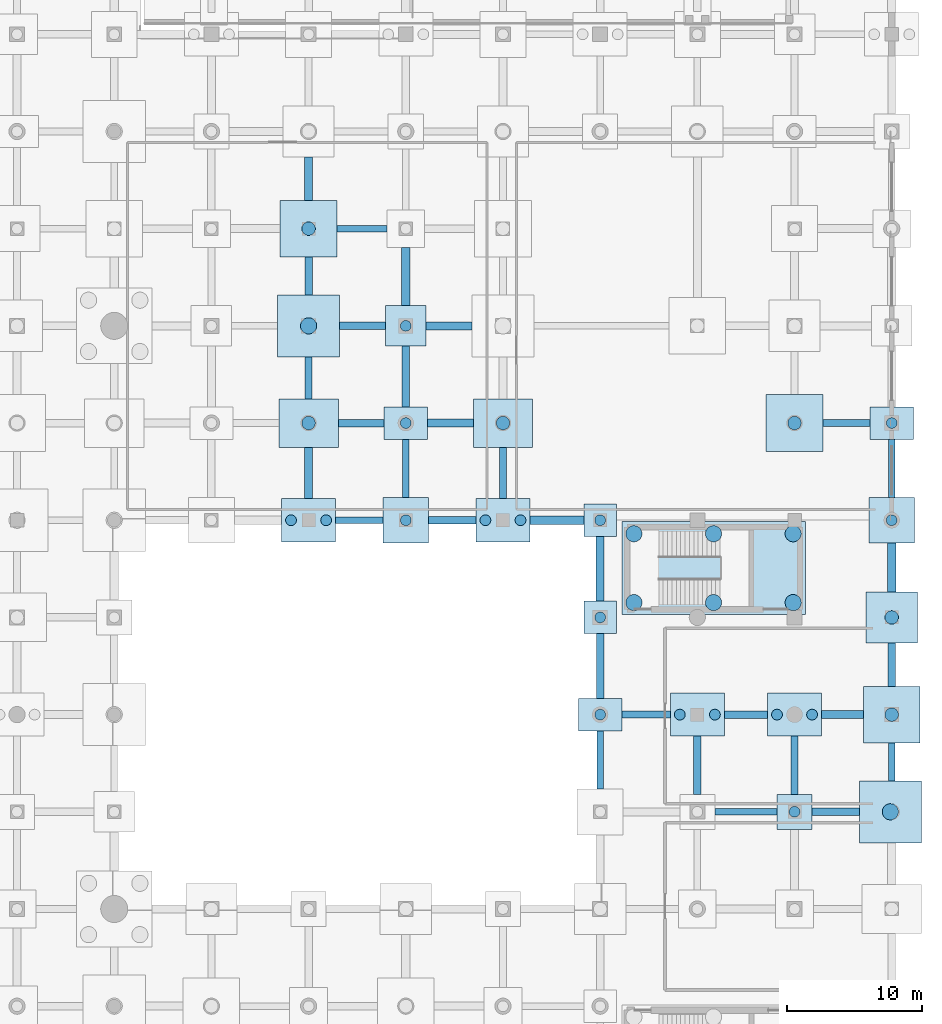
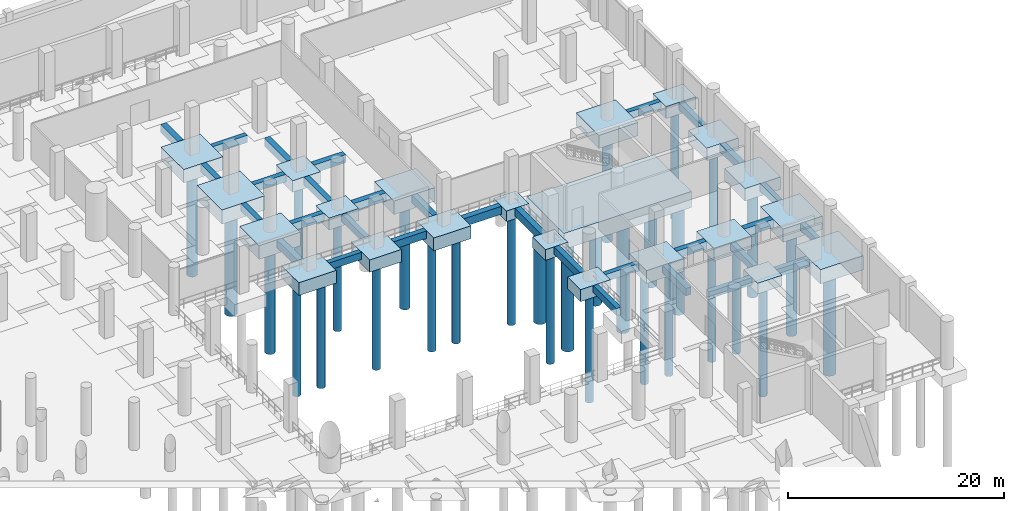
# One storey, part 14 of 37: 53 footings, 31 piles.
"""IFC4 building model written with IfcOpenShell, lengths in metres."""

from ifc_helpers import new_model, si_unit, direction, frame, origin, origin_2d, place, context, subcontext, project, spatial, rectangle, circle, extrude, material, material_profile, profile_set, type_object, element, save


model = new_model("IFC4")

# Units and contexts
model_context = context("Model", 3, precision=1e-05, world=origin(), true_north=direction((0.0, 1.0)))
body_context = subcontext(model_context, "Body", "Model", "MODEL_VIEW")
ifc_project = project(units=[si_unit("LENGTHUNIT", "METRE"), si_unit("AREAUNIT", "SQUARE_METRE"), si_unit("VOLUMEUNIT", "CUBIC_METRE"), si_unit("PLANEANGLEUNIT", "RADIAN"), si_unit("MASSUNIT", "GRAM", prefix="KILO")], contexts=[model_context])

# Site, building, storey
site_placement = place(None, origin())
site = spatial("IfcSite", under=ifc_project, at=site_placement, CompositionType="ELEMENT")
building_placement = place(site_placement, origin())
building = spatial("IfcBuilding", under=site, at=building_placement, Name="Qandorah Velis Arena", CompositionType="ELEMENT")
storey_placement = place(building_placement, frame((0.0, 0.0, -5.39990234375)))
storey = spatial("IfcBuildingStorey", under=building, at=storey_placement, Name="B1", CompositionType="ELEMENT", Elevation=-5.39990234375)

# Footings
ifc_material = material(Name="Concrete C40/50", Category="concrete")
footing_type_1 = type_object("IfcFootingType", Name="STR-CAP-PC10", PredefinedType="PILE_CAP", material=ifc_material)
for number, where, z_axis, x_axis, name in (
    (1, (151.199951171875, 79.199951171875, -1.2001953125), (0.0, 0.0, 1.0), (1.0, 0.0, 0.0), "Pile cap CAP-B1-315"),
    (2, (151.199951171875, 86.39990234375, -1.2001953125), (0.0, 0.0, 1.0), (1.0, 0.0, 0.0), "Pile cap CAP-B1-316"),
):
    element("IfcFooting", number, at=place(storey_placement, frame(where, z_axis=z_axis, x_axis=x_axis)), inside=storey, type_object=footing_type_1, Name=name, PredefinedType="PILE_CAP", context=body_context, shape_type="SweptSolid", body=[
        extrude(rectangle(XDim=2.39990234375, YDim=2.39990234375, at=origin_2d()), origin(), (0.0, 0.0, 1.0), 1.199951171875),
    ])
footing_1_placement = place(storey_placement, frame((165.60009765625, 64.800048828125, -1.2001953125), z_axis=(0.0, 0.0, 1.0), x_axis=(1.0, 0.0, 0.0)))
element("IfcFooting", 3, at=footing_1_placement, inside=storey, type_object=footing_type_1, Name="Pile cap CAP-B1-337", PredefinedType="PILE_CAP", context=body_context, shape_type="SweptSolid", body=[
    extrude(rectangle(XDim=2.60009765625, YDim=2.60009765625, at=origin_2d()), origin(), (0.0, 0.0, 1.0), 1.199951171875),
])
footing_type_2 = type_object("IfcFootingType", Name="STR-CAP-PC11", PredefinedType="PILE_CAP", material=ifc_material)
footing_2_placement = place(storey_placement, frame((159.60009765625, 82.85009765625, -1.80029296875), z_axis=(0.0, 0.0, 1.0), x_axis=(1.0, 0.0, 0.0)))
element("IfcFooting", 4, at=footing_2_placement, inside=storey, type_object=footing_type_2, Name="Pile cap CAP-CORE-CORE-08", PredefinedType="PILE_CAP", context=body_context, shape_type="SweptSolid", body=[
    extrude(rectangle(XDim=13.60009765625, YDim=6.89990234375, at=origin_2d()), origin(), (0.0, 0.0, 1.0), 1.800048828125),
])
footing_type_3 = type_object("IfcFootingType", Name="STR-CAP-PC14", PredefinedType="PILE_CAP", material=ifc_material)
for number, where, z_axis, x_axis, name in (
    (5, (129.60009765625, 86.39990234375, -1.4501953125), (0.0, 0.0, 1.0), (1.0, 0.0, 0.0), "Pile cap CAP-B1-268"),
    (6, (144.0, 86.39990234375, -1.4501953125), (0.0, 0.0, 1.0), (1.0, 0.0, 0.0), "Pile cap CAP-B1-298"),
    (7, (158.39990234375, 72.0, -1.4501953125), (0.0, 0.0, 1.0), (1.0, 0.0, 0.0), "Pile cap CAP-B1-328"),
    (8, (165.60009765625, 72.0, -1.4501953125), (0.0, 0.0, 1.0), (1.0, 0.0, 0.0), "Pile cap CAP-B1-338"),
):
    element("IfcFooting", number, at=place(storey_placement, frame(where, z_axis=z_axis, x_axis=x_axis)), inside=storey, type_object=footing_type_3, Name=name, PredefinedType="PILE_CAP", context=body_context, shape_type="SweptSolid", body=[
        extrude(rectangle(XDim=4.0, YDim=3.199951171875, at=origin_2d()), origin(), (0.0, 0.0, 1.0), 1.449951171875),
    ])
footing_type_4 = type_object("IfcFootingType", Name="STR-CAP-PC15", PredefinedType="PILE_CAP", material=ifc_material)
for number, where, z_axis, x_axis, name in (
    (9, (129.60009765625, 93.60009765625, -1.55029296875), (0.0, 0.0, 1.0), (1.0, 0.0, 0.0), "Pile cap CAP-B1-269"),
    (10, (144.0, 93.60009765625, -1.55029296875), (0.0, 0.0, 1.0), (1.0, 0.0, 0.0), "Pile cap CAP-B1-299"),
):
    element("IfcFooting", number, at=place(storey_placement, frame(where, z_axis=z_axis, x_axis=x_axis)), inside=storey, type_object=footing_type_4, Name=name, PredefinedType="PILE_CAP", context=body_context, shape_type="SweptSolid", body=[
        extrude(rectangle(XDim=4.39990234375, YDim=3.60009765625, at=origin_2d()), origin(), (0.0, 0.0, 1.0), 1.550048828125),
    ])
footing_type_5 = type_object("IfcFootingType", Name="STR-CAP-PC3", PredefinedType="PILE_CAP", material=ifc_material)
for number, where, z_axis, x_axis, name in (
    (11, (129.60009765625, 100.800048828125, -1.60009765625), (0.0, 0.0, 1.0), (1.0, 0.0, 0.0), "Pile cap CAP-B1-270"),
    (12, (172.699951171875, 64.800048828125, -1.60009765625), (0.0, 0.0, 1.0), (1.0, 0.0, 0.0), "Pile cap CAP-B1-350"),
):
    element("IfcFooting", number, at=place(storey_placement, frame(where, z_axis=z_axis, x_axis=x_axis)), inside=storey, type_object=footing_type_5, Name=name, PredefinedType="PILE_CAP", context=body_context, shape_type="SweptSolid", body=[
        extrude(rectangle(XDim=4.60009765625, YDim=4.60009765625, at=origin_2d()), origin(), (0.0, 0.0, 1.0), 1.60009765625),
    ])
footing_type_6 = type_object("IfcFootingType", Name="STR-CAP-PC4", PredefinedType="PILE_CAP", material=ifc_material)
for number, where, z_axis, x_axis, name in (
    (13, (129.60009765625, 108.0, -1.5), (0.0, 0.0, 1.0), (1.0, 0.0, 0.0), "Pile cap CAP-B1-271"),
    (14, (165.60009765625, 93.60009765625, -1.5), (0.0, 0.0, 1.0), (1.0, 0.0, 0.0), "Pile cap CAP-B1-341"),
    (15, (172.800048828125, 72.0, -1.5), (0.0, 0.0, 1.0), (1.0, 0.0, 0.0), "Pile cap CAP-B1-351"),
):
    element("IfcFooting", number, at=place(storey_placement, frame(where, z_axis=z_axis, x_axis=x_axis)), inside=storey, type_object=footing_type_6, Name=name, PredefinedType="PILE_CAP", context=body_context, shape_type="SweptSolid", body=[
        extrude(rectangle(XDim=4.199951171875, YDim=4.199951171875, at=origin_2d()), origin(), (0.0, 0.0, 1.0), 1.5),
    ])
footing_type_7 = type_object("IfcFootingType", Name="STR-CAP-PC5", PredefinedType="PILE_CAP", material=ifc_material)
footing_3_placement = place(storey_placement, frame((172.800048828125, 79.199951171875, -1.400146484375), z_axis=(0.0, 0.0, 1.0), x_axis=(1.0, 0.0, 0.0)))
element("IfcFooting", 16, at=footing_3_placement, inside=storey, type_object=footing_type_7, Name="Pile cap CAP-B1-352", PredefinedType="PILE_CAP", context=body_context, shape_type="SweptSolid", body=[
    extrude(rectangle(XDim=3.800048828125, YDim=3.800048828125, at=origin_2d()), origin(), (0.0, 0.0, 1.0), 1.39990234375),
])
footing_type_8 = type_object("IfcFootingType", Name="STR-CAP-PC6", PredefinedType="PILE_CAP", material=ifc_material)
for number, where, z_axis, x_axis, name in (
    (17, (136.800048828125, 86.39990234375, -1.400146484375), (0.0, 0.0, 1.0), (1.0, 0.0, 0.0), "Pile cap CAP-B1-283"),
    (18, (172.800048828125, 86.39990234375, -1.400146484375), (0.0, 0.0, 1.0), (1.0, 0.0, 0.0), "Pile cap CAP-B1-353"),
):
    element("IfcFooting", number, at=place(storey_placement, frame(where, z_axis=z_axis, x_axis=x_axis)), inside=storey, type_object=footing_type_8, Name=name, PredefinedType="PILE_CAP", context=body_context, shape_type="SweptSolid", body=[
        extrude(rectangle(XDim=3.39990234375, YDim=3.39990234375, at=origin_2d()), origin(), (0.0, 0.0, 1.0), 1.39990234375),
    ])
footing_type_9 = type_object("IfcFootingType", Name="STR-CAP-PC7", PredefinedType="PILE_CAP", material=ifc_material)
for number, where, z_axis, x_axis, name in (
    (19, (136.800048828125, 93.60009765625, -1.35009765625), (0.0, 0.0, 1.0), (1.0, 0.0, 0.0), "Pile cap CAP-B1-284"),
    (20, (151.199951171875, 72.0, -1.35009765625), (0.0, 0.0, 1.0), (1.0, 0.0, 0.0), "Pile cap CAP-B1-314"),
    (21, (172.800048828125, 93.60009765625, -1.35009765625), (0.0, 0.0, 1.0), (1.0, 0.0, 0.0), "Pile cap CAP-B1-354"),
):
    element("IfcFooting", number, at=place(storey_placement, frame(where, z_axis=z_axis, x_axis=x_axis)), inside=storey, type_object=footing_type_9, Name=name, PredefinedType="PILE_CAP", context=body_context, shape_type="SweptSolid", body=[
        extrude(rectangle(XDim=3.199951171875, YDim=2.39990234375, at=origin_2d()), origin(), (0.0, 0.0, 1.0), 1.35009765625),
    ])
footing_type_10 = type_object("IfcFootingType", Name="STR-CAP-PC8", PredefinedType="PILE_CAP", material=ifc_material)
footing_4_placement = place(storey_placement, frame((136.800048828125, 100.800048828125, -1.30029296875), z_axis=(0.0, 0.0, 1.0), x_axis=(1.0, 0.0, 0.0)))
element("IfcFooting", 22, at=footing_4_placement, inside=storey, type_object=footing_type_10, Name="Pile cap CAP-B1-285", PredefinedType="PILE_CAP", context=body_context, shape_type="SweptSolid", body=[
    extrude(rectangle(XDim=3.0, YDim=3.0, at=origin_2d()), origin(), (0.0, 0.0, 1.0), 1.300048828125),
])
ifc_material_profile_1 = material_profile(ifc_material, rectangle(XDim=0.60009765625, YDim=0.89990234375, at=origin_2d()), Name="GB1 600x900")
ifc_profile_set_1 = profile_set([ifc_material_profile_1], Name="Concrete C40/50")
footing_type_11 = type_object("IfcFootingType", Name="STR-GB-FB1", PredefinedType="FOOTING_BEAM", material=ifc_profile_set_1)
footing_5_placement = place(storey_placement, frame((129.60009765625, 88.0, -0.4501953125), z_axis=(0.0, 1.0, 0.0), x_axis=(-1.0, 0.0, 0.0)))
element("IfcFooting", 23, at=footing_5_placement, inside=storey, type_object=footing_type_11, Name="Ground tie beam GB-198", PredefinedType="FOOTING_BEAM", context=body_context, shape_type="SweptSolid", body=[
    extrude(rectangle(XDim=0.60009765625, YDim=0.89990234375, at=origin_2d()), origin(), (0.0, 0.0, 1.0), 3.800048828125),
])
footing_6_placement = place(storey_placement, frame((129.60009765625, 110.10009765625, -0.4501953125), z_axis=(0.0, 1.0, 0.0), x_axis=(-1.0, 0.0, 0.0)))
element("IfcFooting", 24, at=footing_6_placement, inside=storey, type_object=footing_type_11, Name="Ground tie beam GB-201", PredefinedType="FOOTING_BEAM", context=body_context, shape_type="SweptSolid", body=[
    extrude(rectangle(XDim=0.60009765625, YDim=0.89990234375, at=origin_2d()), origin(), (0.0, 0.0, 1.0), 3.199951171875),
])
footing_7_placement = place(storey_placement, frame((136.800048828125, 102.300048828125, -0.4501953125), z_axis=(0.0, 1.0, 0.0), x_axis=(-1.0, 0.0, 0.0)))
element("IfcFooting", 25, at=footing_7_placement, inside=storey, type_object=footing_type_11, Name="Ground tie beam GB-213", PredefinedType="FOOTING_BEAM", context=body_context, shape_type="SweptSolid", body=[
    extrude(rectangle(XDim=0.60009765625, YDim=0.89990234375, at=origin_2d()), origin(), (0.0, 0.0, 1.0), 4.300048828125),
])
footing_8_placement = place(storey_placement, frame((151.199951171875, 80.39990234375, -0.4501953125), z_axis=(0.0, 1.0, 0.0), x_axis=(-1.0, 0.0, 0.0)))
element("IfcFooting", 26, at=footing_8_placement, inside=storey, type_object=footing_type_11, Name="Ground tie beam GB-240", PredefinedType="FOOTING_BEAM", context=body_context, shape_type="SweptSolid", body=[
    extrude(rectangle(XDim=0.60009765625, YDim=0.89990234375, at=origin_2d()), origin(), (0.0, 0.0, 1.0), 4.800048828125),
])
footing_9_placement = place(storey_placement, frame((172.800048828125, 81.10009765625, -0.4501953125), z_axis=(0.0, 1.0, 0.0), x_axis=(-1.0, 0.0, 0.0)))
element("IfcFooting", 27, at=footing_9_placement, inside=storey, type_object=footing_type_11, Name="Ground tie beam GB-264", PredefinedType="FOOTING_BEAM", context=body_context, shape_type="SweptSolid", body=[
    extrude(rectangle(XDim=0.60009765625, YDim=0.89990234375, at=origin_2d()), origin(), (0.0, 0.0, 1.0), 3.599853515625),
])
footing_10_placement = place(storey_placement, frame((167.60009765625, 72.0, -0.4501953125), z_axis=(1.0, 0.0, 0.0), x_axis=(0.0, 1.0, 0.0)))
element("IfcFooting", 28, at=footing_10_placement, inside=storey, type_object=footing_type_11, Name="Ground tie beam GB-417", PredefinedType="FOOTING_BEAM", context=body_context, shape_type="SweptSolid", body=[
    extrude(rectangle(XDim=0.60009765625, YDim=0.89990234375, at=origin_2d()), origin(), (0.0, 0.0, 1.0), 3.099853515625),
])
footing_11_placement = place(storey_placement, frame((146.0, 86.39990234375, -0.4501953125), z_axis=(1.0, 0.0, 0.0), x_axis=(0.0, 1.0, 0.0)))
element("IfcFooting", 29, at=footing_11_placement, inside=storey, type_object=footing_type_11, Name="Ground tie beam GB-426", PredefinedType="FOOTING_BEAM", context=body_context, shape_type="SweptSolid", body=[
    extrude(rectangle(XDim=0.60009765625, YDim=0.89990234375, at=origin_2d()), origin(), (0.0, 0.0, 1.0), 4.0),
])
footing_12_placement = place(storey_placement, frame((138.39990234375, 93.60009765625, -0.4501953125), z_axis=(1.0, 0.0, 0.0), x_axis=(0.0, 1.0, 0.0)))
element("IfcFooting", 30, at=footing_12_placement, inside=storey, type_object=footing_type_11, Name="Ground tie beam GB-444", PredefinedType="FOOTING_BEAM", context=body_context, shape_type="SweptSolid", body=[
    extrude(rectangle(XDim=0.60009765625, YDim=0.89990234375, at=origin_2d()), origin(), (0.0, 0.0, 1.0), 3.400146484375),
])
footing_13_placement = place(storey_placement, frame((138.300048828125, 100.800048828125, -0.4501953125), z_axis=(1.0, 0.0, 0.0), x_axis=(0.0, 1.0, 0.0)))
element("IfcFooting", 31, at=footing_13_placement, inside=storey, type_object=footing_type_11, Name="Ground tie beam GB-465", PredefinedType="FOOTING_BEAM", context=body_context, shape_type="SweptSolid", body=[
    extrude(rectangle(XDim=0.60009765625, YDim=0.89990234375, at=origin_2d()), origin(), (0.0, 0.0, 1.0), 3.39990234375),
])
ifc_material_profile_2 = material_profile(ifc_material, rectangle(XDim=0.5, YDim=0.800048828125, at=origin_2d()), Name="GB2 500x800")
ifc_profile_set_2 = profile_set([ifc_material_profile_2], Name="Concrete C40/50")
footing_type_12 = type_object("IfcFootingType", Name="STR-GB-FB2", PredefinedType="FOOTING_BEAM", material=ifc_profile_set_2)
footing_14_placement = place(storey_placement, frame((129.60009765625, 95.39990234375, -0.400146484375), z_axis=(0.0, 1.0, 0.0), x_axis=(-1.0, 0.0, 0.0)))
element("IfcFooting", 32, at=footing_14_placement, inside=storey, type_object=footing_type_12, Name="Ground tie beam GB-199", PredefinedType="FOOTING_BEAM", context=body_context, shape_type="SweptSolid", body=[
    extrude(rectangle(XDim=0.5, YDim=0.800048828125, at=origin_2d()), origin(), (0.0, 0.0, 1.0), 3.10009765625),
])
footing_15_placement = place(storey_placement, frame((136.800048828125, 88.10009765625, -0.400146484375), z_axis=(0.0, 1.0, 0.0), x_axis=(-1.0, 0.0, 0.0)))
element("IfcFooting", 33, at=footing_15_placement, inside=storey, type_object=footing_type_12, Name="Ground tie beam GB-211", PredefinedType="FOOTING_BEAM", context=body_context, shape_type="SweptSolid", body=[
    extrude(rectangle(XDim=0.5, YDim=0.800048828125, at=origin_2d()), origin(), (0.0, 0.0, 1.0), 4.2998046875),
])
footing_16_placement = place(storey_placement, frame((151.199951171875, 66.5, -0.400146484375), z_axis=(0.0, 1.0, 0.0), x_axis=(-1.0, 0.0, 0.0)))
element("IfcFooting", 34, at=footing_16_placement, inside=storey, type_object=footing_type_12, Name="Ground tie beam GB-238", PredefinedType="FOOTING_BEAM", context=body_context, shape_type="SweptSolid", body=[
    extrude(rectangle(XDim=0.5, YDim=0.800048828125, at=origin_2d()), origin(), (0.0, 0.0, 1.0), 4.300048828125),
])
footing_17_placement = place(storey_placement, frame((165.60009765625, 66.10009765625, -0.400146484375), z_axis=(0.0, 1.0, 0.0), x_axis=(-1.0, 0.0, 0.0)))
element("IfcFooting", 35, at=footing_17_placement, inside=storey, type_object=footing_type_12, Name="Ground tie beam GB-253", PredefinedType="FOOTING_BEAM", context=body_context, shape_type="SweptSolid", body=[
    extrude(rectangle(XDim=0.5, YDim=0.800048828125, at=origin_2d()), origin(), (0.0, 0.0, 1.0), 4.2998046875),
])
footing_18_placement = place(storey_placement, frame((172.800048828125, 67.10009765625, -0.400146484375), z_axis=(0.0, 1.0, 0.0), x_axis=(-1.0, 0.0, 0.0)))
element("IfcFooting", 36, at=footing_18_placement, inside=storey, type_object=footing_type_12, Name="Ground tie beam GB-262", PredefinedType="FOOTING_BEAM", context=body_context, shape_type="SweptSolid", body=[
    extrude(rectangle(XDim=0.5, YDim=0.800048828125, at=origin_2d()), origin(), (0.0, 0.0, 1.0), 2.7998046875),
])
footing_19_placement = place(storey_placement, frame((172.800048828125, 88.10009765625, -0.400146484375), z_axis=(0.0, 1.0, 0.0), x_axis=(-1.0, 0.0, 0.0)))
element("IfcFooting", 37, at=footing_19_placement, inside=storey, type_object=footing_type_12, Name="Ground tie beam GB-265", PredefinedType="FOOTING_BEAM", context=body_context, shape_type="SweptSolid", body=[
    extrude(rectangle(XDim=0.5, YDim=0.800048828125, at=origin_2d()), origin(), (0.0, 0.0, 1.0), 4.2998046875),
])
footing_20_placement = place(storey_placement, frame((159.699951171875, 64.800048828125, -0.400146484375), z_axis=(1.0, 0.0, 0.0), x_axis=(0.0, 1.0, 0.0)))
element("IfcFooting", 38, at=footing_20_placement, inside=storey, type_object=footing_type_12, Name="Ground tie beam GB-409", PredefinedType="FOOTING_BEAM", context=body_context, shape_type="SweptSolid", body=[
    extrude(rectangle(XDim=0.5, YDim=0.800048828125, at=origin_2d()), origin(), (0.0, 0.0, 1.0), 4.60009765625),
])
footing_21_placement = place(storey_placement, frame((152.800048828125, 72.0, -0.400146484375), z_axis=(1.0, 0.0, 0.0), x_axis=(0.0, 1.0, 0.0)))
element("IfcFooting", 39, at=footing_21_placement, inside=storey, type_object=footing_type_12, Name="Ground tie beam GB-415", PredefinedType="FOOTING_BEAM", context=body_context, shape_type="SweptSolid", body=[
    extrude(rectangle(XDim=0.5, YDim=0.800048828125, at=origin_2d()), origin(), (0.0, 0.0, 1.0), 3.599853515625),
])
for number, where, z_axis, x_axis, name in (
    (40, (131.60009765625, 86.39990234375, -0.400146484375), (1.0, 0.0, 0.0), (0.0, 1.0, 0.0), "Ground tie beam GB-424"),
    (41, (167.699951171875, 93.60009765625, -0.400146484375), (1.0, 0.0, 0.0), (0.0, 1.0, 0.0), "Ground tie beam GB-445"),
):
    element("IfcFooting", number, at=place(storey_placement, frame(where, z_axis=z_axis, x_axis=x_axis)), inside=storey, type_object=footing_type_12, Name=name, PredefinedType="FOOTING_BEAM", context=body_context, shape_type="SweptSolid", body=[
        extrude(rectangle(XDim=0.5, YDim=0.800048828125, at=origin_2d()), origin(), (0.0, 0.0, 1.0), 3.5),
    ])
footing_22_placement = place(storey_placement, frame((131.699951171875, 108.0, -0.400146484375), z_axis=(1.0, 0.0, 0.0), x_axis=(0.0, 1.0, 0.0)))
element("IfcFooting", 42, at=footing_22_placement, inside=storey, type_object=footing_type_12, Name="Ground tie beam GB-487", PredefinedType="FOOTING_BEAM", context=body_context, shape_type="SweptSolid", body=[
    extrude(rectangle(XDim=0.5, YDim=0.800048828125, at=origin_2d()), origin(), (0.0, 0.0, 1.0), 3.699951171875),
])
ifc_material_profile_3 = material_profile(ifc_material, rectangle(XDim=0.550048828125, YDim=0.85009765625, at=origin_2d()), Name="GB3 550x850")
ifc_profile_set_3 = profile_set([ifc_material_profile_3], Name="Concrete C40/50")
footing_type_13 = type_object("IfcFootingType", Name="STR-GB-FB3", PredefinedType="FOOTING_BEAM", material=ifc_profile_set_3)
footing_23_placement = place(storey_placement, frame((129.60009765625, 103.10009765625, -0.425048828125), z_axis=(0.0, 1.0, 0.0), x_axis=(-1.0, 0.0, 0.0)))
element("IfcFooting", 43, at=footing_23_placement, inside=storey, type_object=footing_type_13, Name="Ground tie beam GB-200", PredefinedType="FOOTING_BEAM", context=body_context, shape_type="SweptSolid", body=[
    extrude(rectangle(XDim=0.550048828125, YDim=0.85009765625, at=origin_2d()), origin(), (0.0, 0.0, 1.0), 2.7998046875),
])
footing_24_placement = place(storey_placement, frame((136.800048828125, 94.800048828125, -0.425048828125), z_axis=(0.0, 1.0, 0.0), x_axis=(-1.0, 0.0, 0.0)))
element("IfcFooting", 44, at=footing_24_placement, inside=storey, type_object=footing_type_13, Name="Ground tie beam GB-212", PredefinedType="FOOTING_BEAM", context=body_context, shape_type="SweptSolid", body=[
    extrude(rectangle(XDim=0.550048828125, YDim=0.85009765625, at=origin_2d()), origin(), (0.0, 0.0, 1.0), 4.5),
])
footing_25_placement = place(storey_placement, frame((144.0, 88.0, -0.425048828125), z_axis=(0.0, 1.0, 0.0), x_axis=(-1.0, 0.0, 0.0)))
element("IfcFooting", 45, at=footing_25_placement, inside=storey, type_object=footing_type_13, Name="Ground tie beam GB-224", PredefinedType="FOOTING_BEAM", context=body_context, shape_type="SweptSolid", body=[
    extrude(rectangle(XDim=0.550048828125, YDim=0.85009765625, at=origin_2d()), origin(), (0.0, 0.0, 1.0), 3.800048828125),
])
footing_26_placement = place(storey_placement, frame((151.199951171875, 73.199951171875, -0.425048828125), z_axis=(0.0, 1.0, 0.0), x_axis=(-1.0, 0.0, 0.0)))
element("IfcFooting", 46, at=footing_26_placement, inside=storey, type_object=footing_type_13, Name="Ground tie beam GB-239", PredefinedType="FOOTING_BEAM", context=body_context, shape_type="SweptSolid", body=[
    extrude(rectangle(XDim=0.550048828125, YDim=0.85009765625, at=origin_2d()), origin(), (0.0, 0.0, 1.0), 4.800048828125),
])
footing_27_placement = place(storey_placement, frame((158.39990234375, 66.10009765625, -0.425048828125), z_axis=(0.0, 1.0, 0.0), x_axis=(-1.0, 0.0, 0.0)))
element("IfcFooting", 47, at=footing_27_placement, inside=storey, type_object=footing_type_13, Name="Ground tie beam GB-248", PredefinedType="FOOTING_BEAM", context=body_context, shape_type="SweptSolid", body=[
    extrude(rectangle(XDim=0.550048828125, YDim=0.85009765625, at=origin_2d()), origin(), (0.0, 0.0, 1.0), 4.2998046875),
])
footing_28_placement = place(storey_placement, frame((172.800048828125, 74.10009765625, -0.425048828125), z_axis=(0.0, 1.0, 0.0), x_axis=(-1.0, 0.0, 0.0)))
element("IfcFooting", 48, at=footing_28_placement, inside=storey, type_object=footing_type_13, Name="Ground tie beam GB-263", PredefinedType="FOOTING_BEAM", context=body_context, shape_type="SweptSolid", body=[
    extrude(rectangle(XDim=0.550048828125, YDim=0.85009765625, at=origin_2d()), origin(), (0.0, 0.0, 1.0), 3.199951171875),
])
footing_29_placement = place(storey_placement, frame((166.89990234375, 64.800048828125, -0.425048828125), z_axis=(1.0, 0.0, 0.0), x_axis=(0.0, 1.0, 0.0)))
element("IfcFooting", 49, at=footing_29_placement, inside=storey, type_object=footing_type_13, Name="Ground tie beam GB-410", PredefinedType="FOOTING_BEAM", context=body_context, shape_type="SweptSolid", body=[
    extrude(rectangle(XDim=0.550048828125, YDim=0.85009765625, at=origin_2d()), origin(), (0.0, 0.0, 1.0), 3.5),
])
footing_30_placement = place(storey_placement, frame((160.39990234375, 72.0, -0.425048828125), z_axis=(1.0, 0.0, 0.0), x_axis=(0.0, 1.0, 0.0)))
element("IfcFooting", 50, at=footing_30_placement, inside=storey, type_object=footing_type_13, Name="Ground tie beam GB-416", PredefinedType="FOOTING_BEAM", context=body_context, shape_type="SweptSolid", body=[
    extrude(rectangle(XDim=0.550048828125, YDim=0.85009765625, at=origin_2d()), origin(), (0.0, 0.0, 1.0), 3.2001953125),
])
footing_31_placement = place(storey_placement, frame((138.5, 86.39990234375, -0.425048828125), z_axis=(1.0, 0.0, 0.0), x_axis=(0.0, 1.0, 0.0)))
element("IfcFooting", 51, at=footing_31_placement, inside=storey, type_object=footing_type_13, Name="Ground tie beam GB-425", PredefinedType="FOOTING_BEAM", context=body_context, shape_type="SweptSolid", body=[
    extrude(rectangle(XDim=0.550048828125, YDim=0.85009765625, at=origin_2d()), origin(), (0.0, 0.0, 1.0), 3.5),
])
footing_32_placement = place(storey_placement, frame((131.800048828125, 93.60009765625, -0.425048828125), z_axis=(1.0, 0.0, 0.0), x_axis=(0.0, 1.0, 0.0)))
element("IfcFooting", 52, at=footing_32_placement, inside=storey, type_object=footing_type_13, Name="Ground tie beam GB-443", PredefinedType="FOOTING_BEAM", context=body_context, shape_type="SweptSolid", body=[
    extrude(rectangle(XDim=0.550048828125, YDim=0.85009765625, at=origin_2d()), origin(), (0.0, 0.0, 1.0), 3.39990234375),
])
footing_33_placement = place(storey_placement, frame((131.89990234375, 100.800048828125, -0.425048828125), z_axis=(1.0, 0.0, 0.0), x_axis=(0.0, 1.0, 0.0)))
element("IfcFooting", 53, at=footing_33_placement, inside=storey, type_object=footing_type_13, Name="Ground tie beam GB-464", PredefinedType="FOOTING_BEAM", context=body_context, shape_type="SweptSolid", body=[
    extrude(rectangle(XDim=0.550048828125, YDim=0.85009765625, at=origin_2d()), origin(), (0.0, 0.0, 1.0), 3.400146484375),
])

# Piles
ifc_material_profile_4 = material_profile(ifc_material, circle(Radius=0.5, at=origin_2d()), Name="BORED PILE D1000")
ifc_profile_set_4 = profile_set([ifc_material_profile_4], Name="Concrete C40/50")
pile_type_1 = type_object("IfcPileType", Name="STR-PILE-BP1000", PredefinedType="BORED", material=ifc_profile_set_4)
pile_1_placement = place(storey_placement, frame((129.60009765625, 93.60009765625, -1.4501953125), z_axis=(0.0, 0.0, -1.0), x_axis=(1.0, 0.0, 0.0)))
element("IfcPile", 54, at=pile_1_placement, inside=storey, type_object=pile_type_1, Name="Bored pile PILE-CAP-B1-269-11", PredefinedType="BORED", context=body_context, shape_type="SweptSolid", body=[
    extrude(circle(Radius=0.5, at=origin_2d()), origin(), (0.0, 0.0, 1.0), 12.35009765625),
])
pile_2_placement = place(storey_placement, frame((129.60009765625, 108.0, -1.400146484375), z_axis=(0.0, 0.0, -1.0), x_axis=(1.0, 0.0, 0.0)))
element("IfcPile", 55, at=pile_2_placement, inside=storey, type_object=pile_type_1, Name="Bored pile PILE-CAP-B1-271-11", PredefinedType="BORED", context=body_context, shape_type="SweptSolid", body=[
    extrude(circle(Radius=0.5, at=origin_2d()), origin(), (0.0, 0.0, 1.0), 12.39990234375),
])
pile_3_placement = place(storey_placement, frame((144.0, 93.60009765625, -1.4501953125), z_axis=(0.0, 0.0, -1.0), x_axis=(1.0, 0.0, 0.0)))
element("IfcPile", 56, at=pile_3_placement, inside=storey, type_object=pile_type_1, Name="Bored pile PILE-CAP-B1-299-11", PredefinedType="BORED", context=body_context, shape_type="SweptSolid", body=[
    extrude(circle(Radius=0.5, at=origin_2d()), origin(), (0.0, 0.0, 1.0), 12.35009765625),
])
for number, where, z_axis, x_axis, name in (
    (57, (165.60009765625, 93.60009765625, -1.400146484375), (0.0, 0.0, -1.0), (1.0, 0.0, 0.0), "Bored pile PILE-CAP-B1-341-11"),
    (58, (172.800048828125, 72.0, -1.400146484375), (0.0, 0.0, -1.0), (1.0, 0.0, 0.0), "Bored pile PILE-CAP-B1-351-11"),
):
    element("IfcPile", number, at=place(storey_placement, frame(where, z_axis=z_axis, x_axis=x_axis)), inside=storey, type_object=pile_type_1, Name=name, PredefinedType="BORED", context=body_context, shape_type="SweptSolid", body=[
        extrude(circle(Radius=0.5, at=origin_2d()), origin(), (0.0, 0.0, 1.0), 12.39990234375),
    ])
pile_4_placement = place(storey_placement, frame((172.800048828125, 79.199951171875, -1.300048828125), z_axis=(0.0, 0.0, -1.0), x_axis=(1.0, 0.0, 0.0)))
element("IfcPile", 59, at=pile_4_placement, inside=storey, type_object=pile_type_1, Name="Bored pile PILE-CAP-B1-352-11", PredefinedType="BORED", context=body_context, shape_type="SweptSolid", body=[
    extrude(circle(Radius=0.5, at=origin_2d()), origin(), (0.0, 0.0, 1.0), 12.5),
])
ifc_material_profile_5 = material_profile(ifc_material, circle(Radius=0.60009765625, at=origin_2d()), Name="BORED PILE D1200")
ifc_profile_set_5 = profile_set([ifc_material_profile_5], Name="Concrete C40/50")
pile_type_2 = type_object("IfcPileType", Name="STR-PILE-BP1200", PredefinedType="BORED", material=ifc_profile_set_5)
for number, where, z_axis, x_axis, name in (
    (60, (153.699951171875, 80.300048828125, -1.7001953125), (0.0, 0.0, -1.0), (1.0, 0.0, 0.0), "Bored pile PILE-CAP-CORE-CORE-08-11"),
    (61, (153.699951171875, 85.39990234375, -1.7001953125), (0.0, 0.0, -1.0), (1.0, 0.0, 0.0), "Bored pile PILE-CAP-CORE-CORE-08-12"),
    (62, (159.60009765625, 80.300048828125, -1.7001953125), (0.0, 0.0, -1.0), (1.0, 0.0, 0.0), "Bored pile PILE-CAP-CORE-CORE-08-21"),
    (63, (159.60009765625, 85.39990234375, -1.7001953125), (0.0, 0.0, -1.0), (1.0, 0.0, 0.0), "Bored pile PILE-CAP-CORE-CORE-08-22"),
    (64, (165.5, 80.300048828125, -1.7001953125), (0.0, 0.0, -1.0), (1.0, 0.0, 0.0), "Bored pile PILE-CAP-CORE-CORE-08-31"),
    (65, (165.5, 85.39990234375, -1.7001953125), (0.0, 0.0, -1.0), (1.0, 0.0, 0.0), "Bored pile PILE-CAP-CORE-CORE-08-32"),
):
    element("IfcPile", number, at=place(storey_placement, frame(where, z_axis=z_axis, x_axis=x_axis)), inside=storey, type_object=pile_type_2, Name=name, PredefinedType="BORED", context=body_context, shape_type="SweptSolid", body=[
        extrude(circle(Radius=0.60009765625, at=origin_2d()), origin(), (0.0, 0.0, 1.0), 12.10009765625),
    ])
for number, where, z_axis, x_axis, name in (
    (66, (129.60009765625, 100.800048828125, -1.5), (0.0, 0.0, -1.0), (1.0, 0.0, 0.0), "Bored pile PILE-CAP-B1-270-11"),
    (67, (172.699951171875, 64.800048828125, -1.5), (0.0, 0.0, -1.0), (1.0, 0.0, 0.0), "Bored pile PILE-CAP-B1-350-11"),
):
    element("IfcPile", number, at=place(storey_placement, frame(where, z_axis=z_axis, x_axis=x_axis)), inside=storey, type_object=pile_type_2, Name=name, PredefinedType="BORED", context=body_context, shape_type="SweptSolid", body=[
        extrude(circle(Radius=0.60009765625, at=origin_2d()), origin(), (0.0, 0.0, 1.0), 12.300048828125),
    ])
ifc_material_profile_6 = material_profile(ifc_material, circle(Radius=0.39990234375, at=origin_2d()), Name="BORED PILE D800")
ifc_profile_set_6 = profile_set([ifc_material_profile_6], Name="Concrete C40/50")
pile_type_3 = type_object("IfcPileType", Name="STR-PILE-BP800", PredefinedType="BORED", material=ifc_profile_set_6)
for number, where, z_axis, x_axis, name in (
    (68, (128.300048828125, 86.39990234375, -1.35009765625), (0.0, 0.0, -1.0), (1.0, 0.0, 0.0), "Bored pile PILE-CAP-B1-268-11"),
    (69, (130.89990234375, 86.39990234375, -1.35009765625), (0.0, 0.0, -1.0), (1.0, 0.0, 0.0), "Bored pile PILE-CAP-B1-268-21"),
):
    element("IfcPile", number, at=place(storey_placement, frame(where, z_axis=z_axis, x_axis=x_axis)), inside=storey, type_object=pile_type_3, Name=name, PredefinedType="BORED", context=body_context, shape_type="SweptSolid", body=[
        extrude(circle(Radius=0.39990234375, at=origin_2d()), origin(), (0.0, 0.0, 1.0), 12.449951171875),
    ])
pile_5_placement = place(storey_placement, frame((136.800048828125, 86.39990234375, -1.300048828125), z_axis=(0.0, 0.0, -1.0), x_axis=(1.0, 0.0, 0.0)))
element("IfcPile", 70, at=pile_5_placement, inside=storey, type_object=pile_type_3, Name="Bored pile PILE-CAP-B1-283-11", PredefinedType="BORED", context=body_context, shape_type="SweptSolid", body=[
    extrude(circle(Radius=0.39990234375, at=origin_2d()), origin(), (0.0, 0.0, 1.0), 12.5),
])
pile_6_placement = place(storey_placement, frame((136.800048828125, 93.60009765625, -1.25), z_axis=(0.0, 0.0, -1.0), x_axis=(1.0, 0.0, 0.0)))
element("IfcPile", 71, at=pile_6_placement, inside=storey, type_object=pile_type_3, Name="Bored pile PILE-CAP-B1-284-11", PredefinedType="BORED", context=body_context, shape_type="SweptSolid", body=[
    extrude(circle(Radius=0.39990234375, at=origin_2d()), origin(), (0.0, 0.0, 1.0), 12.550048828125),
])
pile_7_placement = place(storey_placement, frame((136.800048828125, 100.800048828125, -1.2001953125), z_axis=(0.0, 0.0, -1.0), x_axis=(1.0, 0.0, 0.0)))
element("IfcPile", 72, at=pile_7_placement, inside=storey, type_object=pile_type_3, Name="Bored pile PILE-CAP-B1-285-11", PredefinedType="BORED", context=body_context, shape_type="SweptSolid", body=[
    extrude(circle(Radius=0.39990234375, at=origin_2d()), origin(), (0.0, 0.0, 1.0), 12.60009765625),
])
for number, where, z_axis, x_axis, name in (
    (73, (142.699951171875, 86.39990234375, -1.35009765625), (0.0, 0.0, -1.0), (1.0, 0.0, 0.0), "Bored pile PILE-CAP-B1-298-11"),
    (74, (145.300048828125, 86.39990234375, -1.35009765625), (0.0, 0.0, -1.0), (1.0, 0.0, 0.0), "Bored pile PILE-CAP-B1-298-21"),
):
    element("IfcPile", number, at=place(storey_placement, frame(where, z_axis=z_axis, x_axis=x_axis)), inside=storey, type_object=pile_type_3, Name=name, PredefinedType="BORED", context=body_context, shape_type="SweptSolid", body=[
        extrude(circle(Radius=0.39990234375, at=origin_2d()), origin(), (0.0, 0.0, 1.0), 12.449951171875),
    ])
pile_8_placement = place(storey_placement, frame((151.199951171875, 72.0, -1.25), z_axis=(0.0, 0.0, -1.0), x_axis=(1.0, 0.0, 0.0)))
element("IfcPile", 75, at=pile_8_placement, inside=storey, type_object=pile_type_3, Name="Bored pile PILE-CAP-B1-314-11", PredefinedType="BORED", context=body_context, shape_type="SweptSolid", body=[
    extrude(circle(Radius=0.39990234375, at=origin_2d()), origin(), (0.0, 0.0, 1.0), 12.550048828125),
])
for number, where, z_axis, x_axis, name in (
    (76, (151.199951171875, 79.199951171875, -1.10009765625), (0.0, 0.0, -1.0), (1.0, 0.0, 0.0), "Bored pile PILE-CAP-B1-315-11"),
    (77, (151.199951171875, 86.39990234375, -1.10009765625), (0.0, 0.0, -1.0), (1.0, 0.0, 0.0), "Bored pile PILE-CAP-B1-316-11"),
):
    element("IfcPile", number, at=place(storey_placement, frame(where, z_axis=z_axis, x_axis=x_axis)), inside=storey, type_object=pile_type_3, Name=name, PredefinedType="BORED", context=body_context, shape_type="SweptSolid", body=[
        extrude(circle(Radius=0.39990234375, at=origin_2d()), origin(), (0.0, 0.0, 1.0), 12.699951171875),
    ])
for number, where, z_axis, x_axis, name in (
    (78, (157.10009765625, 72.0, -1.35009765625), (0.0, 0.0, -1.0), (1.0, 0.0, 0.0), "Bored pile PILE-CAP-B1-328-11"),
    (79, (159.699951171875, 72.0, -1.35009765625), (0.0, 0.0, -1.0), (1.0, 0.0, 0.0), "Bored pile PILE-CAP-B1-328-21"),
):
    element("IfcPile", number, at=place(storey_placement, frame(where, z_axis=z_axis, x_axis=x_axis)), inside=storey, type_object=pile_type_3, Name=name, PredefinedType="BORED", context=body_context, shape_type="SweptSolid", body=[
        extrude(circle(Radius=0.39990234375, at=origin_2d()), origin(), (0.0, 0.0, 1.0), 12.449951171875),
    ])
pile_9_placement = place(storey_placement, frame((165.60009765625, 64.800048828125, -1.10009765625), z_axis=(0.0, 0.0, -1.0), x_axis=(1.0, 0.0, 0.0)))
element("IfcPile", 80, at=pile_9_placement, inside=storey, type_object=pile_type_3, Name="Bored pile PILE-CAP-B1-337-11", PredefinedType="BORED", context=body_context, shape_type="SweptSolid", body=[
    extrude(circle(Radius=0.39990234375, at=origin_2d()), origin(), (0.0, 0.0, 1.0), 12.699951171875),
])
for number, where, z_axis, x_axis, name in (
    (81, (164.300048828125, 72.0, -1.35009765625), (0.0, 0.0, -1.0), (1.0, 0.0, 0.0), "Bored pile PILE-CAP-B1-338-11"),
    (82, (166.89990234375, 72.0, -1.35009765625), (0.0, 0.0, -1.0), (1.0, 0.0, 0.0), "Bored pile PILE-CAP-B1-338-21"),
):
    element("IfcPile", number, at=place(storey_placement, frame(where, z_axis=z_axis, x_axis=x_axis)), inside=storey, type_object=pile_type_3, Name=name, PredefinedType="BORED", context=body_context, shape_type="SweptSolid", body=[
        extrude(circle(Radius=0.39990234375, at=origin_2d()), origin(), (0.0, 0.0, 1.0), 12.449951171875),
    ])
pile_10_placement = place(storey_placement, frame((172.800048828125, 86.39990234375, -1.300048828125), z_axis=(0.0, 0.0, -1.0), x_axis=(1.0, 0.0, 0.0)))
element("IfcPile", 83, at=pile_10_placement, inside=storey, type_object=pile_type_3, Name="Bored pile PILE-CAP-B1-353-11", PredefinedType="BORED", context=body_context, shape_type="SweptSolid", body=[
    extrude(circle(Radius=0.39990234375, at=origin_2d()), origin(), (0.0, 0.0, 1.0), 12.5),
])
pile_11_placement = place(storey_placement, frame((172.800048828125, 93.60009765625, -1.25), z_axis=(0.0, 0.0, -1.0), x_axis=(1.0, 0.0, 0.0)))
element("IfcPile", 84, at=pile_11_placement, inside=storey, type_object=pile_type_3, Name="Bored pile PILE-CAP-B1-354-11", PredefinedType="BORED", context=body_context, shape_type="SweptSolid", body=[
    extrude(circle(Radius=0.39990234375, at=origin_2d()), origin(), (0.0, 0.0, 1.0), 12.550048828125),
])

save(model, "model.ifc")
